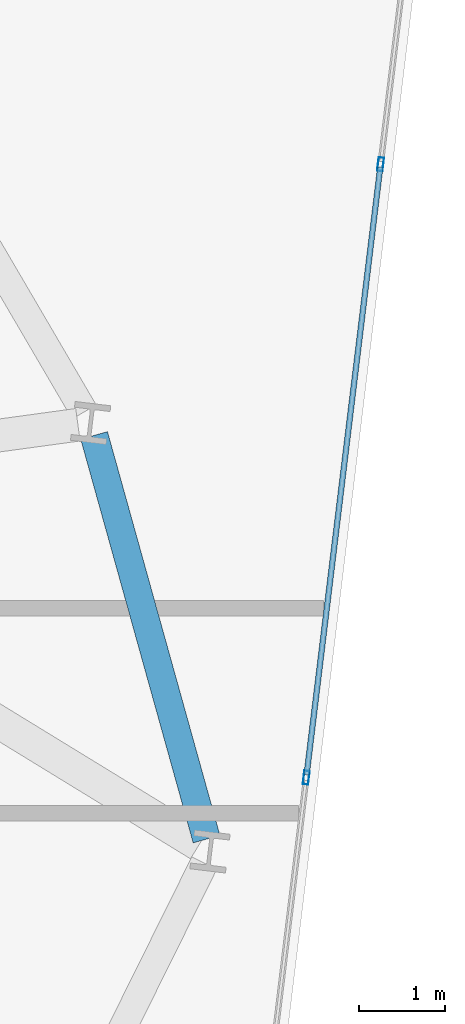
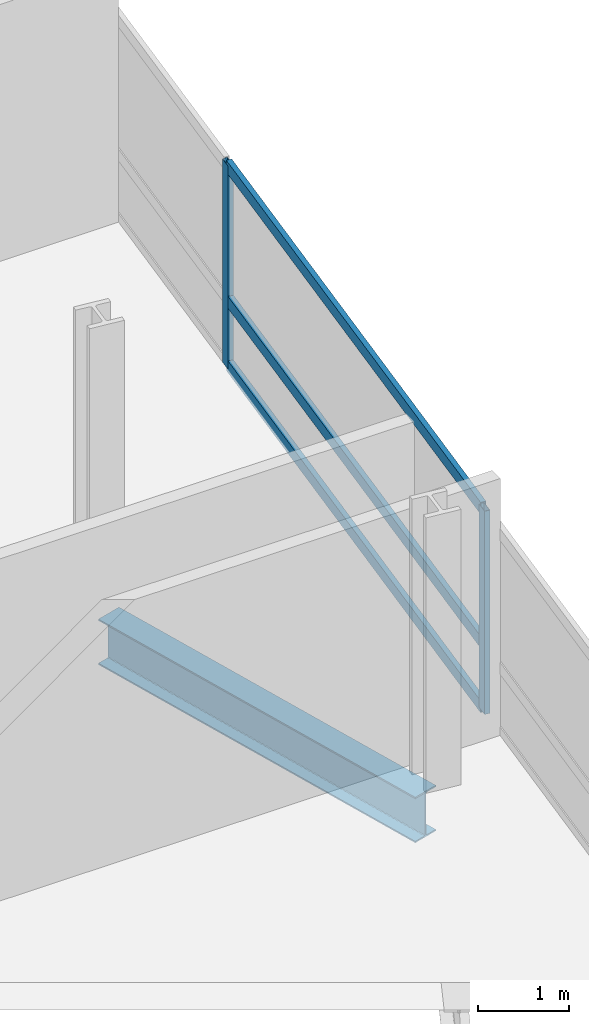
# One storey, part 16 of 26: 5 members, 1 beam, 1 element without a shape of its own.
"""IFC4 building model written with IfcOpenShell, lengths in metres."""

from ifc_helpers import new_model, si_unit, direction, frame, origin, origin_2d, place, context, subcontext, project, spatial, hollow_rectangle, i_section, extrude, material, layer, layer_set, material_profile, profile_set, type_object, element, aggregate, save


model = new_model("IFC4")

# Units and contexts
model_context = context("Model", 3, precision=1e-05, world=origin(), true_north=direction((0.0, 1.0)))
body_context = subcontext(model_context, "Body", "Model", "MODEL_VIEW")
ifc_project = project(units=[si_unit("LENGTHUNIT", "METRE"), si_unit("AREAUNIT", "SQUARE_METRE"), si_unit("VOLUMEUNIT", "CUBIC_METRE"), si_unit("PLANEANGLEUNIT", "RADIAN"), si_unit("MASSUNIT", "GRAM", prefix="KILO")], contexts=[model_context])

# Site, building, storey
site_placement = place(None, origin())
site = spatial("IfcSite", under=ifc_project, at=site_placement, CompositionType="ELEMENT")
building_placement = place(site_placement, origin())
building = spatial("IfcBuilding", under=site, at=building_placement, Name="Varnelok Gate Tower", CompositionType="ELEMENT")
storey_placement = place(building_placement, frame((0.0, 0.0, 121.699951171875)))
storey = spatial("IfcBuildingStorey", under=building, at=storey_placement, Name="L30", CompositionType="ELEMENT", Elevation=121.699951171875)

# Beam
ifc_material_1 = material(Name="Structural Steel ASTM A992 Grade 50", Category="steel")
ifc_material_profile_1 = material_profile(ifc_material_1, i_section(OverallWidth=0.323974609375, OverallDepth=0.611083984375, WebThickness=0.0126953125, FlangeThickness=0.01904296875, FilletRadius=0.01806640625, at=origin_2d()), Name="W24X104")
ifc_profile_set_1 = profile_set([ifc_material_profile_1], Name="Structural Steel ASTM A992 Grade 50")
beam_type = type_object("IfcBeamType", Name="BM-SPN-W24X104", PredefinedType="SPANDREL", material=ifc_profile_set_1)
beam_placement = place(storey_placement, frame((74.395263671875, 16.54931640625, -0.555419921875), z_axis=(-0.26833732875, 0.963325011613, 0.0), x_axis=(-0.963325011613, -0.26833732875, 0.0)))
element("IfcBeam", 1, at=beam_placement, inside=storey, type_object=beam_type, Name="L30 Perimeter Spandrel Beam 7", PredefinedType="SPANDREL", context=body_context, shape_type="SweptSolid", body=[
    extrude(i_section(OverallWidth=0.323974609375, OverallDepth=0.611083984375, WebThickness=0.0126953125, FlangeThickness=0.01904296875, FilletRadius=0.01806640625, at=origin_2d()), origin(), (0.0, 0.0, 1.0), 4.884033203125),
])

# Curtain wall, members
ifc_material_2 = material(Name="Anodized Aluminum Alloy 6063-T6", Category="aluminium")
ifc_layer = layer(ifc_material_2, 0.179931640625)
ifc_layer_set = layer_set([ifc_layer], Name="Anodized Aluminum Alloy 6063-T6")
curtain_wall_type = type_object("IfcCurtainWallType", Name="CW3-HOTEL-VISION", PredefinedType="USERDEFINED", material=ifc_layer_set)
curtain_wall_placement = place(storey_placement, origin())
curtain_wall = element("IfcCurtainWall", 2, at=curtain_wall_placement, inside=storey, type_object=curtain_wall_type, Name="L30 East End Vision Curtain Wall", ObjectType="UNITISED CURTAIN WALL", PredefinedType="USERDEFINED")
ifc_material_profile_2 = material_profile(ifc_material_2, hollow_rectangle(XDim=0.06494140625, YDim=0.159912109375, WallThickness=0.00390625, at=origin_2d()), Name="ALU160X65X4")
ifc_profile_set_2 = profile_set([ifc_material_profile_2], Name="Anodized Aluminum Alloy 6063-T6")
member_type_1 = type_object("IfcMemberType", Name="CW-MULL-160", PredefinedType="MULLION", material=ifc_profile_set_2)
member_1_placement = place(storey_placement, frame((76.423828125, 24.413818359375, 0.0), z_axis=(0.0, 0.0, 1.0), x_axis=(0.99273188146, -0.120347046212, 0.0)))
member_1 = element("IfcMember", 3, at=member_1_placement, type_object=member_type_1, Name="CW3 mullion 3", PredefinedType="MULLION", context=body_context, shape_type="SweptSolid", body=[
    extrude(hollow_rectangle(XDim=0.06494140625, YDim=0.159912109375, WallThickness=0.00390625, at=origin_2d()), origin(), (0.0, 0.0, 1.0), 2.72998046875),
])
member_2_placement = place(storey_placement, frame((75.557373046875, 17.26611328125, 0.0), z_axis=(0.0, 0.0, 1.0), x_axis=(0.99273188146, -0.120347046212, 0.0)))
member_2 = element("IfcMember", 4, at=member_2_placement, type_object=member_type_1, Name="CW3 mullion 4", PredefinedType="MULLION", context=body_context, shape_type="SweptSolid", body=[
    extrude(hollow_rectangle(XDim=0.06494140625, YDim=0.159912109375, WallThickness=0.00390625, at=origin_2d()), origin(), (0.0, 0.0, 1.0), 2.72998046875),
])
ifc_material_profile_3 = material_profile(ifc_material_2, hollow_rectangle(XDim=0.06494140625, YDim=0.159912109375, WallThickness=0.00390625, at=origin_2d()), Name="ALU160X65X4")
ifc_profile_set_3 = profile_set([ifc_material_profile_3], Name="Anodized Aluminum Alloy 6063-T6")
member_type_2 = type_object("IfcMemberType", Name="CW-TRAN-160", PredefinedType="USERDEFINED", material=ifc_profile_set_3)
member_3_placement = place(storey_placement, frame((76.419921875, 24.381591796875, 0.032470703125), z_axis=(-0.120340564253, -0.992732667235, 0.0), x_axis=(0.992732667235, -0.120340564253, 0.0)))
member_3 = element("IfcMember", 5, at=member_3_placement, type_object=member_type_2, Name="CW3 transom 3.1", ObjectType="TRANSOM", PredefinedType="USERDEFINED", context=body_context, shape_type="SweptSolid", body=[
    extrude(hollow_rectangle(XDim=0.06494140625, YDim=0.159912109375, WallThickness=0.00390625, at=origin_2d()), origin(), (0.0, 0.0, 1.0), 7.135009765625),
])
member_4_placement = place(storey_placement, frame((76.419921875, 24.381591796875, 0.900146484375), z_axis=(-0.120340564253, -0.992732667235, 0.0), x_axis=(0.992732667235, -0.120340564253, 0.0)))
member_4 = element("IfcMember", 6, at=member_4_placement, type_object=member_type_2, Name="CW3 transom 3.2", ObjectType="TRANSOM", PredefinedType="USERDEFINED", context=body_context, shape_type="SweptSolid", body=[
    extrude(hollow_rectangle(XDim=0.06494140625, YDim=0.159912109375, WallThickness=0.00390625, at=origin_2d()), origin(), (0.0, 0.0, 1.0), 7.135009765625),
])
member_5_placement = place(storey_placement, frame((76.419921875, 24.381591796875, 2.697509765625), z_axis=(-0.120340564253, -0.992732667235, 0.0), x_axis=(0.992732667235, -0.120340564253, 0.0)))
member_5 = element("IfcMember", 7, at=member_5_placement, type_object=member_type_2, Name="CW3 transom 3.3", ObjectType="TRANSOM", PredefinedType="USERDEFINED", context=body_context, shape_type="SweptSolid", body=[
    extrude(hollow_rectangle(XDim=0.06494140625, YDim=0.159912109375, WallThickness=0.00390625, at=origin_2d()), origin(), (0.0, 0.0, 1.0), 7.135009765625),
])
aggregate(curtain_wall, [member_1, member_2, member_3, member_4, member_5])

save(model, "model.ifc")
